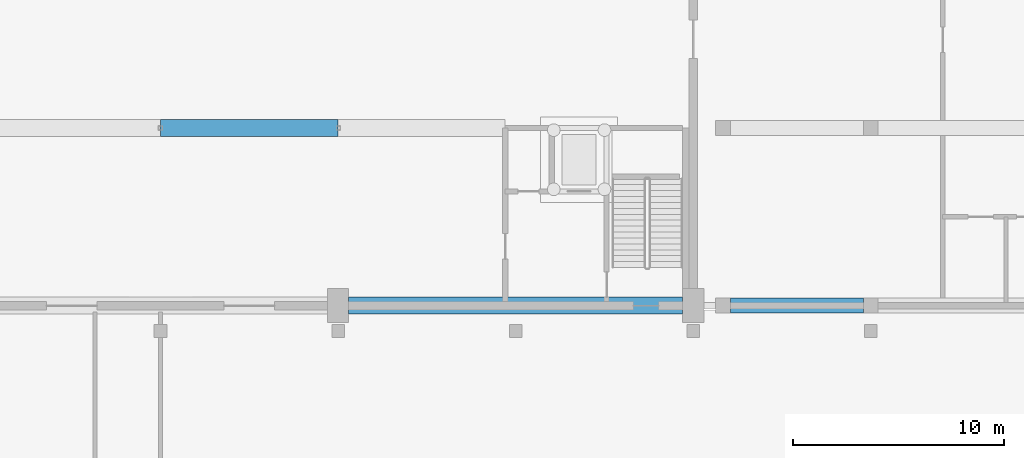
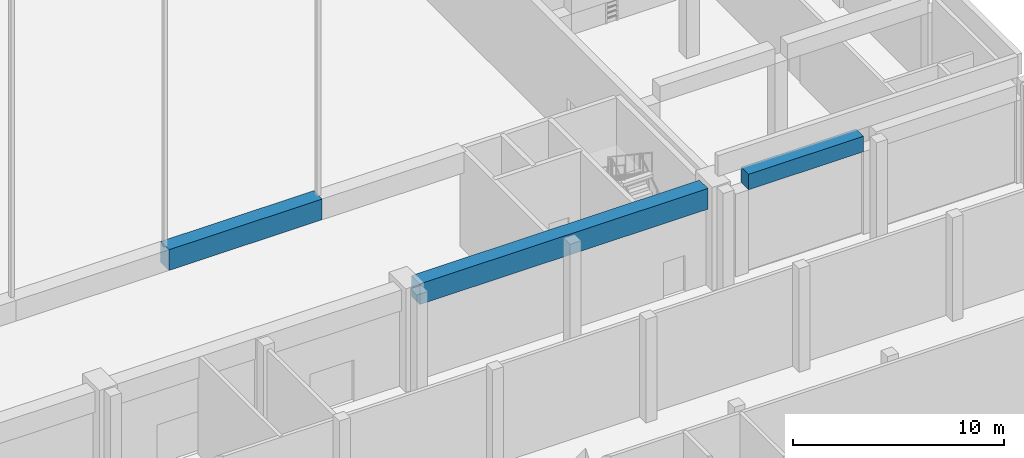
# One storey, part 57 of 210: 3 beams.
"""IFC4 building model written with IfcOpenShell, lengths in metres."""

import ifcopenshell
import ifcopenshell.guid

model = None  # the IFC model being written
_history = None  # IfcOwnerHistory: only IFC2X3 demands one
_inside = {}  # id of a spatial element -> (the spatial element, [elements in it])
_under = {}  # id of a project, library or spatial element -> (it, [spatial elements below it])
_declared = {}  # id of a project -> (the project, [libraries it declares])
_typed = {}  # id of a type object -> (the type object, [elements of that type])
_made_of = {}  # id of a material, layer set ... -> (it, [elements and type objects made of it])


def new_model(schema):
    """Start an empty IFC model of exactly this schema.

    Asked for "IFC4X3", IfcOpenShell would pick the latest addendum, in which some entities
    have other attributes; the version numbers below select the first issue.
    IFC2X3 requires an IfcOwnerHistory on every rooted entity: one is made here for all.
    """
    global model, _history
    if schema == "IFC4X3":
        model = ifcopenshell.file(schema_version=(4, 3, 0, 0))
    else:
        model = ifcopenshell.file(schema=schema)
    _inside.clear()
    _under.clear()
    _declared.clear()
    _typed.clear()
    _made_of.clear()
    _history = None
    if model.schema == "IFC2X3":
        org = make("IfcOrganization", Name="unknown")
        user = make(
            "IfcPersonAndOrganization",
            ThePerson=make("IfcPerson", FamilyName="unknown"),
            TheOrganization=org,
        )
        app = make(
            "IfcApplication",
            ApplicationDeveloper=org,
            Version="unknown",
            ApplicationFullName="unknown",
            ApplicationIdentifier="unknown",
        )
        _history = make(
            "IfcOwnerHistory",
            OwningUser=user,
            OwningApplication=app,
            ChangeAction="ADDED",
            CreationDate=0,
        )
    return model


def make(cls, **values):
    """One entity of the class cls with the attributes given. An attribute that is None is left unset."""
    return model.create_entity(
        cls, **{name: value for name, value in values.items() if value is not None}
    )


def rooted(cls, **values):
    """An entity with a GlobalId (a new one), such as an element, a storey or a relation."""
    return make(cls, GlobalId=ifcopenshell.guid.new(), OwnerHistory=_history, **values)


def si_unit(unit_type, name, prefix=None):
    """IfcSIUnit, for example si_unit("LENGTHUNIT", "METRE", prefix="MILLI")."""
    return make("IfcSIUnit", UnitType=unit_type, Prefix=prefix, Name=name)


def assignment(units):
    """IfcUnitAssignment: the units of a project."""
    return None if units is None else make("IfcUnitAssignment", Units=units)


def point(xyz):
    """IfcCartesianPoint."""
    return None if xyz is None else make("IfcCartesianPoint", Coordinates=xyz)


def direction(xyz):
    """IfcDirection."""
    return None if xyz is None else make("IfcDirection", DirectionRatios=xyz)


def frame(location, z_axis=None, x_axis=None):
    """IfcAxis2Placement3D, a coordinate frame: its origin and axes. An axis left out is left unset."""
    return make(
        "IfcAxis2Placement3D",
        Location=point(location),
        Axis=direction(z_axis),
        RefDirection=direction(x_axis),
    )


def frame_2d(location, x_axis=None):
    """IfcAxis2Placement2D, a coordinate frame in the plane: its origin and x axis."""
    return make(
        "IfcAxis2Placement2D", Location=point(location), RefDirection=direction(x_axis)
    )


def origin():
    """The frame at (0, 0, 0) with its axes left unset."""
    return frame((0.0, 0.0, 0.0))


def origin_2d():
    """The frame at (0, 0) in the plane with its x axis left unset."""
    return frame_2d((0.0, 0.0))


def place(relative_to, where):
    """IfcLocalPlacement: puts the frame where relative to a parent placement (None: the world)."""
    return make(
        "IfcLocalPlacement", PlacementRelTo=relative_to, RelativePlacement=where
    )


def context(
    kind, dimensions, precision=None, world=None, true_north=None, identifier=None
):
    """IfcGeometricRepresentationContext, for example the 3D "Model" context."""
    return make(
        "IfcGeometricRepresentationContext",
        ContextIdentifier=identifier,
        ContextType=kind,
        CoordinateSpaceDimension=dimensions,
        Precision=precision,
        WorldCoordinateSystem=world,
        TrueNorth=true_north,
    )


def subcontext(parent, identifier, kind, view, scale=None):
    """IfcGeometricRepresentationSubContext, for example "Body" below "Model"."""
    return make(
        "IfcGeometricRepresentationSubContext",
        ContextIdentifier=identifier,
        ContextType=kind,
        ParentContext=parent,
        TargetScale=scale,
        TargetView=view,
    )


def project(units=None, contexts=None):
    """IfcProject with its units and contexts."""
    return rooted(
        "IfcProject",
        Name="project",
        RepresentationContexts=contexts,
        UnitsInContext=assignment(units),
    )


def spatial(cls, under=None, at=None, **own):
    """A site, building, storey or space (cls), placed at a placement, below another one or the project."""
    s = rooted(cls, ObjectPlacement=at, **own)
    if under is not None:
        _under.setdefault(under.id(), (under, []))[1].append(s)
    return s


def profile(cls, at=None, kind="AREA", **sizes):
    """A parametric profile (cls). Its sizes go by their IFC names, for example OverallWidth=200.0."""
    return make(cls, ProfileType=kind, Position=at, **sizes)


def rectangle(**sizes):
    """IfcRectangleProfileDef."""
    return profile("IfcRectangleProfileDef", **sizes)


def extrude(swept, where, along, depth):
    """IfcExtrudedAreaSolid: the profile swept, set in the frame where, extruded along a direction by depth."""
    return make(
        "IfcExtrudedAreaSolid",
        SweptArea=swept,
        Position=where,
        ExtrudedDirection=direction(along),
        Depth=depth,
    )


def shape(context_of_items, identifier, shape_type, items):
    """IfcShapeRepresentation: the items that make up one representation, for example the "Body"."""
    return make(
        "IfcShapeRepresentation",
        ContextOfItems=context_of_items,
        RepresentationIdentifier=identifier,
        RepresentationType=shape_type,
        Items=items,
    )


def material(Name=None, Category=None):
    """IfcMaterial."""
    return make("IfcMaterial", Name=Name, Category=Category)


def material_profile(
    of_material, cross_section, Name=None, Category=None, Priority=None
):
    """IfcMaterialProfile: a cross section and its material."""
    return make(
        "IfcMaterialProfile",
        Name=Name,
        Material=of_material,
        Profile=cross_section,
        Priority=Priority,
        Category=Category,
    )


def profile_set(profiles, Name=None, composite=None):
    """IfcMaterialProfileSet."""
    return make(
        "IfcMaterialProfileSet",
        Name=Name,
        MaterialProfiles=profiles,
        CompositeProfile=composite,
    )


def made_of(thing, what):
    """Note that an element or type object is made of a material, layer set ...; save() writes the relation."""
    if what is not None:
        _made_of.setdefault(what.id(), (what, []))[1].append(thing)
    return thing


def type_object(cls, material=None, **own):
    """A type object (cls), such as IfcWallType, which elements share."""
    return made_of(rooted(cls, **own), material)


def element(
    cls,
    number,
    at=None,
    inside=None,
    cuts=None,
    type_object=None,
    material=None,
    context=None,
    identifier="Body",
    shape_type=None,
    held_by="IfcProductDefinitionShape",
    body=None,
    shapes=None,
    **own,
):
    """One element of the class cls, such as IfcWall. Its Tag is "e" and its number.

    at: its placement. inside: the storey or other place that contains it. cuts: it is an
    opening in that element (IfcRelVoidsElement). A single representation is given by context,
    identifier, shape_type and body (its items); several are given by shapes. held_by: the class
    of the entity that holds the representations. save() writes the other relations.
    """
    e = rooted(cls, Tag="e%d" % number, ObjectPlacement=at, **own)
    if body is not None:
        shapes = [shape(context, identifier, shape_type, body)]
    if shapes is not None:
        e.Representation = make(held_by, Representations=shapes)
    if inside is not None:
        _inside.setdefault(inside.id(), (inside, []))[1].append(e)
    if cuts is not None:
        rooted(
            "IfcRelVoidsElement", RelatingBuildingElement=cuts, RelatedOpeningElement=e
        )
    if type_object is not None:
        _typed.setdefault(type_object.id(), (type_object, []))[1].append(e)
    return made_of(e, material)


def aggregate(whole, parts):
    """IfcRelAggregates: a whole, such as a stair, and the parts it consists of."""
    return rooted("IfcRelAggregates", RelatingObject=whole, RelatedObjects=parts)


def save(model, path):
    """Write the relations noted so far, then the file.

    IfcRelAggregates (storeys below a building ...), IfcRelContainedInSpatialStructure (elements
    in a storey), IfcRelDefinesByType, IfcRelAssociatesMaterial and IfcRelDeclares: one each for
    every whole, place, type object, material and project.
    """
    for whole, parts in _under.values():
        aggregate(whole, parts)
    for where, things in _inside.values():
        rooted(
            "IfcRelContainedInSpatialStructure",
            RelatedElements=things,
            RelatingStructure=where,
        )
    for kind, things in _typed.values():
        rooted("IfcRelDefinesByType", RelatedObjects=things, RelatingType=kind)
    for what, things in _made_of.values():
        rooted("IfcRelAssociatesMaterial", RelatedObjects=things, RelatingMaterial=what)
    for by, libraries in _declared.values():
        rooted("IfcRelDeclares", RelatingContext=by, RelatedDefinitions=libraries)
    model.write(path)


model = new_model("IFC4")

# Units and contexts
model_context = context("Model", 3, precision=1e-05, world=origin(), true_north=direction((0.0, 1.0)))
body_context = subcontext(model_context, "Body", "Model", "MODEL_VIEW")
ifc_project = project(units=[si_unit("LENGTHUNIT", "METRE"), si_unit("AREAUNIT", "SQUARE_METRE"), si_unit("VOLUMEUNIT", "CUBIC_METRE"), si_unit("PLANEANGLEUNIT", "RADIAN"), si_unit("MASSUNIT", "GRAM", prefix="KILO")], contexts=[model_context])

# Site, building, storey
site_placement = place(None, origin())
site = spatial("IfcSite", under=ifc_project, at=site_placement, CompositionType="ELEMENT")
building_placement = place(site_placement, origin())
building = spatial("IfcBuilding", under=site, at=building_placement, Name="Rain Tree Exposition and Congress Centre", CompositionType="ELEMENT")
storey_placement = place(building_placement, origin())
storey = spatial("IfcBuildingStorey", under=building, at=storey_placement, Name="L00", CompositionType="ELEMENT", Elevation=0.0)

# Beams
ifc_material_1 = material(Name="Precast concrete C50/60", Category="concrete")
ifc_material_profile_1 = material_profile(ifc_material_1, rectangle(XDim=0.699951171875, YDim=0.89990234375, at=origin_2d()), Name="RC 700x900")
ifc_profile_set_1 = profile_set([ifc_material_profile_1], Name="Precast concrete C50/60")
beam_type_1 = type_object("IfcBeamType", Name="Precast beam 700x900", PredefinedType="BEAM", material=ifc_profile_set_1)
beam_1_placement = place(storey_placement, frame((245.35009765625, 100.800048828125, 5.25), z_axis=(1.0, 0.0, 0.0), x_axis=(0.0, 1.0, 0.0)))
element("IfcBeam", 1, at=beam_1_placement, inside=storey, type_object=beam_type_1, Name="Service roof beam 1", PredefinedType="BEAM", context=body_context, shape_type="SweptSolid", body=[
    extrude(rectangle(XDim=0.699951171875, YDim=0.89990234375, at=origin_2d()), origin(), (0.0, 0.0, 1.0), 6.2998046875),
])
ifc_material_2 = material(Name="Precast concrete C50/60", Category="concrete")
ifc_material_profile_2 = material_profile(ifc_material_2, rectangle(XDim=0.800048828125, YDim=1.199951171875, at=origin_2d()), Name="RC 800x1200")
ifc_profile_set_2 = profile_set([ifc_material_profile_2], Name="Precast concrete C50/60")
beam_type_2 = type_object("IfcBeamType", Name="Precast beam 800x1200", PredefinedType="BEAM", material=ifc_profile_set_2)
beam_2_placement = place(storey_placement, frame((227.300048828125, 100.800048828125, 5.10009765625), z_axis=(1.0, 0.0, 0.0), x_axis=(0.0, 1.0, 0.0)))
element("IfcBeam", 2, at=beam_2_placement, inside=storey, type_object=beam_type_2, Name="Gallery perimeter beam 6", PredefinedType="BEAM", context=body_context, shape_type="SweptSolid", body=[
    extrude(rectangle(XDim=0.800048828125, YDim=1.199951171875, at=origin_2d()), origin(), (0.0, 0.0, 1.0), 15.800048828125),
])
beam_3_placement = place(storey_placement, frame((218.39990234375, 109.199951171875, 5.10009765625), z_axis=(1.0, 0.0, 0.0), x_axis=(0.0, 1.0, 0.0)))
element("IfcBeam", 3, at=beam_3_placement, inside=storey, type_object=beam_type_2, Name="Gallery edge beam 9", PredefinedType="BEAM", context=body_context, shape_type="SweptSolid", body=[
    extrude(rectangle(XDim=0.800048828125, YDim=1.199951171875, at=origin_2d()), origin(), (0.0, 0.0, 1.0), 8.400146484375),
])

save(model, "model.ifc")
